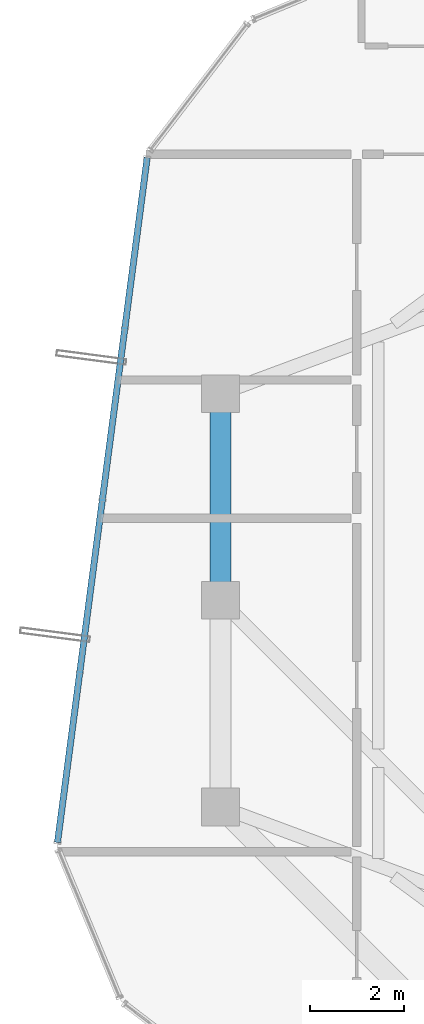
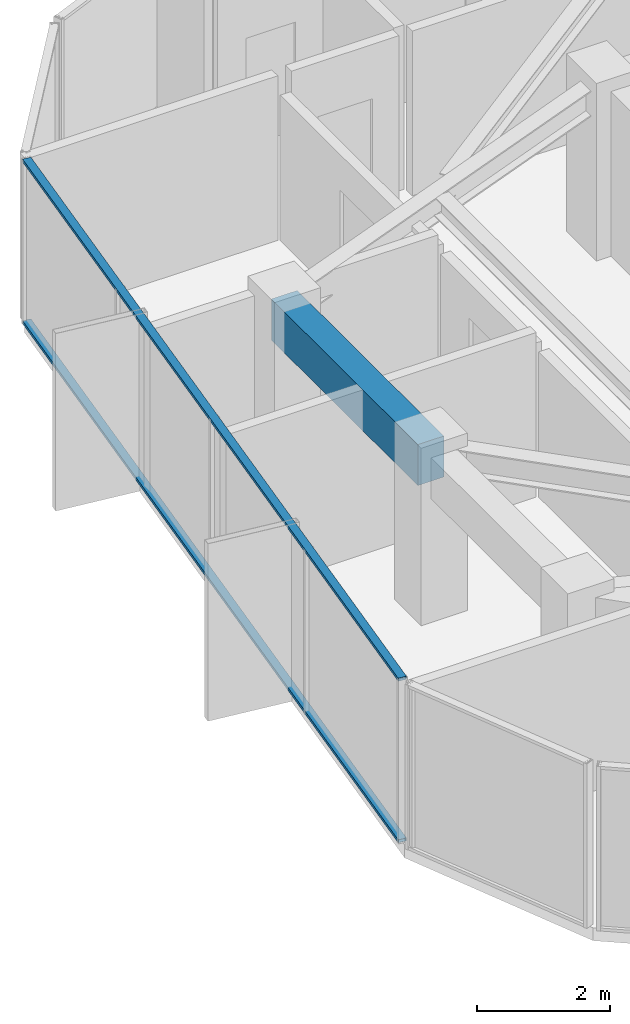
# One storey, part 13 of 31: 2 members, 1 beam, 1 element without a shape of its own.
"""IFC4 building model written with IfcOpenShell, lengths in metres."""

from ifc_helpers import new_model, si_unit, direction, frame, origin, origin_2d, place, context, subcontext, project, spatial, rectangle, hollow_rectangle, extrude, source, transform, mapped, material, layer, layer_set, material_profile, profile_set, type_object, element, aggregate, save


model = new_model("IFC4")

# Units and contexts
model_context = context("Model", 3, precision=1e-05, world=origin(), true_north=direction((0.0, 1.0)))
body_context = subcontext(model_context, "Body", "Model", "MODEL_VIEW")
ifc_project = project(units=[si_unit("LENGTHUNIT", "METRE"), si_unit("AREAUNIT", "SQUARE_METRE"), si_unit("VOLUMEUNIT", "CUBIC_METRE"), si_unit("PLANEANGLEUNIT", "RADIAN"), si_unit("MASSUNIT", "GRAM", prefix="KILO")], contexts=[model_context])

# Site, building, storey
site_placement = place(None, origin())
site = spatial("IfcSite", under=ifc_project, at=site_placement, CompositionType="ELEMENT")
building_placement = place(site_placement, origin())
building = spatial("IfcBuilding", under=site, at=building_placement, Name="Veraguas Prism Commons", CompositionType="ELEMENT")
storey_placement = place(building_placement, frame((0.0, 0.0, 233.300048828125)))
storey = spatial("IfcBuildingStorey", under=building, at=storey_placement, Name="L66", CompositionType="ELEMENT", Elevation=233.300048828125)

# Beam
ifc_material_1 = material(Name="Concrete C50/60", Category="concrete")
ifc_material_profile_1 = material_profile(ifc_material_1, rectangle(XDim=0.449951171875, YDim=0.75, at=origin_2d()), Name="RC450X750")
ifc_profile_set_1 = profile_set([ifc_material_profile_1], Name="Concrete C50/60")
beam_type = type_object("IfcBeamType", Name="Perimeter Spandrel Upper RC 450x750", PredefinedType="SPANDREL", material=ifc_profile_set_1)
beam_placement = place(storey_placement, frame((10.199951171875, 28.39990234375, 2.639892578125), z_axis=(0.0, -1.0, 0.0), x_axis=(1.0, 0.0, 0.0)))
element("IfcBeam", 1, at=beam_placement, inside=storey, type_object=beam_type, Name="Perimeter Spandrel Beam L66-SP07", PredefinedType="SPANDREL", context=body_context, shape_type="SweptSolid", body=[
    extrude(rectangle(XDim=0.449951171875, YDim=0.75, at=origin_2d()), origin(), (0.0, 0.0, 1.0), 4.39990234375),
])

# Curtain wall, members
ifc_material_2 = material(Name="Anodised aluminium EN AW-6063 T6", Category="aluminium")
ifc_layer = layer(ifc_material_2, 0.14990234375, Name="Unitised Flush Curtain Wall Zone 4", Category="aluminium")
ifc_layer_set = layer_set([ifc_layer], Name="Anodised aluminium EN AW-6063 T6")
curtain_wall_type = type_object("IfcCurtainWallType", Name="Unitised Flush Curtain Wall Zone 4", PredefinedType="NOTDEFINED", material=ifc_layer_set)
curtain_wall_placement = place(storey_placement, origin())
curtain_wall = element("IfcCurtainWall", 2, at=curtain_wall_placement, inside=storey, type_object=curtain_wall_type, Name="Tower Facade Curtain Wall L66-F3", PredefinedType="NOTDEFINED")
ifc_material_profile_2 = material_profile(ifc_material_2, hollow_rectangle(XDim=0.054931640625, YDim=0.135009765625, WallThickness=0.0029296875, at=origin_2d()), Name="AL55X135X3")
ifc_profile_set_2 = profile_set([ifc_material_profile_2], Name="Anodised aluminium EN AW-6063 T6")
member_type = type_object("IfcMemberType", Name="Curtain Wall Transom Standard AL 55x135x3", PredefinedType="USERDEFINED", material=ifc_profile_set_2)
shared_shape = source(origin(), body_context, "Body", "SweptSolid", [
    extrude(hollow_rectangle(XDim=0.054931640625, YDim=0.135009765625, WallThickness=0.0029296875, at=origin_2d()), origin(), (0.0, 0.0, 1.0), 14.706298828125),
])
member_1_placement = place(storey_placement, frame((8.639404296875, 33.42724609375, 0.02734375), z_axis=(-0.129837386589, -0.991535300957, 0.0), x_axis=(0.0, 0.0, 1.0)))
member_1 = element("IfcMember", 3, at=member_1_placement, type_object=member_type, Name="CW-Z4 Transom 1", ObjectType="TRANSOM", PredefinedType="USERDEFINED", context=body_context, shape_type="MappedRepresentation", body=[
    mapped(shared_shape, transform((0.0, 0.0, 0.0), scale=1.0)),
])
member_2_placement = place(storey_placement, frame((8.639404296875, 33.42724609375, 2.987548828125), z_axis=(-0.129837386589, -0.991535300957, 0.0), x_axis=(0.0, 0.0, 1.0)))
member_2 = element("IfcMember", 4, at=member_2_placement, type_object=member_type, Name="CW-Z4 Transom 2", ObjectType="TRANSOM", PredefinedType="USERDEFINED", context=body_context, shape_type="MappedRepresentation", body=[
    mapped(shared_shape, transform((0.0, 0.0, 0.0), scale=1.0)),
])
aggregate(curtain_wall, [member_1, member_2])

save(model, "model.ifc")
